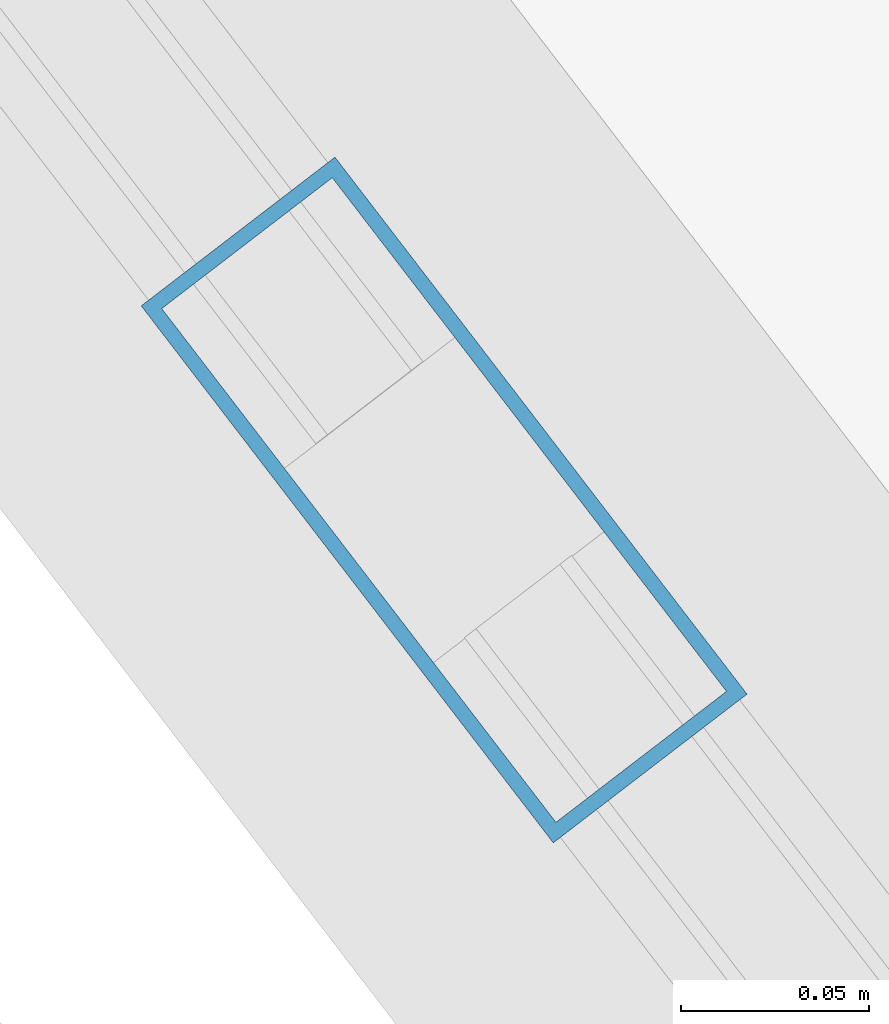
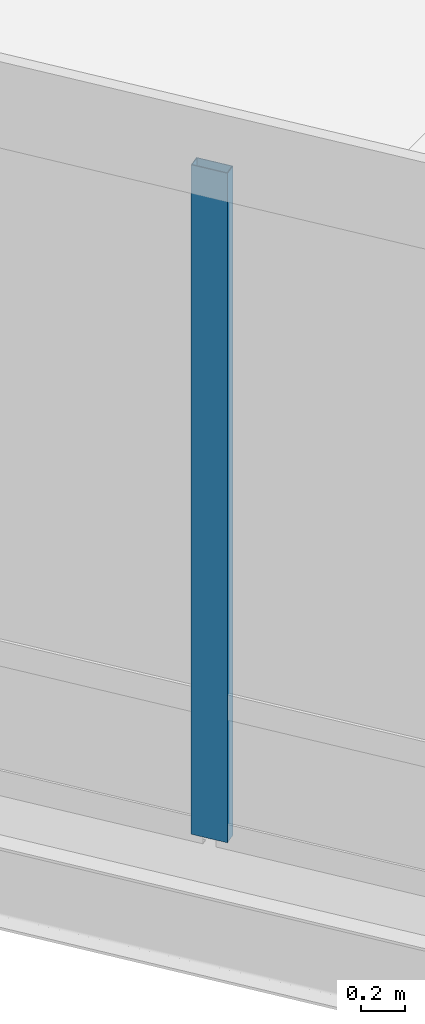
# One storey, part 27 of 170: 1 member, 1 element without a shape of its own.
"""IFC4 building model written with IfcOpenShell, lengths in metres."""

import ifcopenshell
import ifcopenshell.guid

model = None  # the IFC model being written
_history = None  # IfcOwnerHistory: only IFC2X3 demands one
_inside = {}  # id of a spatial element -> (the spatial element, [elements in it])
_under = {}  # id of a project, library or spatial element -> (it, [spatial elements below it])
_declared = {}  # id of a project -> (the project, [libraries it declares])
_typed = {}  # id of a type object -> (the type object, [elements of that type])
_made_of = {}  # id of a material, layer set ... -> (it, [elements and type objects made of it])


def new_model(schema):
    """Start an empty IFC model of exactly this schema.

    Asked for "IFC4X3", IfcOpenShell would pick the latest addendum, in which some entities
    have other attributes; the version numbers below select the first issue.
    IFC2X3 requires an IfcOwnerHistory on every rooted entity: one is made here for all.
    """
    global model, _history
    if schema == "IFC4X3":
        model = ifcopenshell.file(schema_version=(4, 3, 0, 0))
    else:
        model = ifcopenshell.file(schema=schema)
    _inside.clear()
    _under.clear()
    _declared.clear()
    _typed.clear()
    _made_of.clear()
    _history = None
    if model.schema == "IFC2X3":
        org = make("IfcOrganization", Name="unknown")
        user = make(
            "IfcPersonAndOrganization",
            ThePerson=make("IfcPerson", FamilyName="unknown"),
            TheOrganization=org,
        )
        app = make(
            "IfcApplication",
            ApplicationDeveloper=org,
            Version="unknown",
            ApplicationFullName="unknown",
            ApplicationIdentifier="unknown",
        )
        _history = make(
            "IfcOwnerHistory",
            OwningUser=user,
            OwningApplication=app,
            ChangeAction="ADDED",
            CreationDate=0,
        )
    return model


def make(cls, **values):
    """One entity of the class cls with the attributes given. An attribute that is None is left unset."""
    return model.create_entity(
        cls, **{name: value for name, value in values.items() if value is not None}
    )


def rooted(cls, **values):
    """An entity with a GlobalId (a new one), such as an element, a storey or a relation."""
    return make(cls, GlobalId=ifcopenshell.guid.new(), OwnerHistory=_history, **values)


def si_unit(unit_type, name, prefix=None):
    """IfcSIUnit, for example si_unit("LENGTHUNIT", "METRE", prefix="MILLI")."""
    return make("IfcSIUnit", UnitType=unit_type, Prefix=prefix, Name=name)


def assignment(units):
    """IfcUnitAssignment: the units of a project."""
    return None if units is None else make("IfcUnitAssignment", Units=units)


def point(xyz):
    """IfcCartesianPoint."""
    return None if xyz is None else make("IfcCartesianPoint", Coordinates=xyz)


def direction(xyz):
    """IfcDirection."""
    return None if xyz is None else make("IfcDirection", DirectionRatios=xyz)


def frame(location, z_axis=None, x_axis=None):
    """IfcAxis2Placement3D, a coordinate frame: its origin and axes. An axis left out is left unset."""
    return make(
        "IfcAxis2Placement3D",
        Location=point(location),
        Axis=direction(z_axis),
        RefDirection=direction(x_axis),
    )


def frame_2d(location, x_axis=None):
    """IfcAxis2Placement2D, a coordinate frame in the plane: its origin and x axis."""
    return make(
        "IfcAxis2Placement2D", Location=point(location), RefDirection=direction(x_axis)
    )


def origin():
    """The frame at (0, 0, 0) with its axes left unset."""
    return frame((0.0, 0.0, 0.0))


def origin_2d():
    """The frame at (0, 0) in the plane with its x axis left unset."""
    return frame_2d((0.0, 0.0))


def place(relative_to, where):
    """IfcLocalPlacement: puts the frame where relative to a parent placement (None: the world)."""
    return make(
        "IfcLocalPlacement", PlacementRelTo=relative_to, RelativePlacement=where
    )


def context(
    kind, dimensions, precision=None, world=None, true_north=None, identifier=None
):
    """IfcGeometricRepresentationContext, for example the 3D "Model" context."""
    return make(
        "IfcGeometricRepresentationContext",
        ContextIdentifier=identifier,
        ContextType=kind,
        CoordinateSpaceDimension=dimensions,
        Precision=precision,
        WorldCoordinateSystem=world,
        TrueNorth=true_north,
    )


def subcontext(parent, identifier, kind, view, scale=None):
    """IfcGeometricRepresentationSubContext, for example "Body" below "Model"."""
    return make(
        "IfcGeometricRepresentationSubContext",
        ContextIdentifier=identifier,
        ContextType=kind,
        ParentContext=parent,
        TargetScale=scale,
        TargetView=view,
    )


def project(units=None, contexts=None):
    """IfcProject with its units and contexts."""
    return rooted(
        "IfcProject",
        Name="project",
        RepresentationContexts=contexts,
        UnitsInContext=assignment(units),
    )


def spatial(cls, under=None, at=None, **own):
    """A site, building, storey or space (cls), placed at a placement, below another one or the project."""
    s = rooted(cls, ObjectPlacement=at, **own)
    if under is not None:
        _under.setdefault(under.id(), (under, []))[1].append(s)
    return s


def profile(cls, at=None, kind="AREA", **sizes):
    """A parametric profile (cls). Its sizes go by their IFC names, for example OverallWidth=200.0."""
    return make(cls, ProfileType=kind, Position=at, **sizes)


def hollow_rectangle(**sizes):
    """IfcRectangleHollowProfileDef."""
    return profile("IfcRectangleHollowProfileDef", **sizes)


def extrude(swept, where, along, depth):
    """IfcExtrudedAreaSolid: the profile swept, set in the frame where, extruded along a direction by depth."""
    return make(
        "IfcExtrudedAreaSolid",
        SweptArea=swept,
        Position=where,
        ExtrudedDirection=direction(along),
        Depth=depth,
    )


def shape(context_of_items, identifier, shape_type, items):
    """IfcShapeRepresentation: the items that make up one representation, for example the "Body"."""
    return make(
        "IfcShapeRepresentation",
        ContextOfItems=context_of_items,
        RepresentationIdentifier=identifier,
        RepresentationType=shape_type,
        Items=items,
    )


def material(Name=None, Category=None):
    """IfcMaterial."""
    return make("IfcMaterial", Name=Name, Category=Category)


def material_profile(
    of_material, cross_section, Name=None, Category=None, Priority=None
):
    """IfcMaterialProfile: a cross section and its material."""
    return make(
        "IfcMaterialProfile",
        Name=Name,
        Material=of_material,
        Profile=cross_section,
        Priority=Priority,
        Category=Category,
    )


def profile_set(profiles, Name=None, composite=None):
    """IfcMaterialProfileSet."""
    return make(
        "IfcMaterialProfileSet",
        Name=Name,
        MaterialProfiles=profiles,
        CompositeProfile=composite,
    )


def made_of(thing, what):
    """Note that an element or type object is made of a material, layer set ...; save() writes the relation."""
    if what is not None:
        _made_of.setdefault(what.id(), (what, []))[1].append(thing)
    return thing


def type_object(cls, material=None, **own):
    """A type object (cls), such as IfcWallType, which elements share."""
    return made_of(rooted(cls, **own), material)


def element(
    cls,
    number,
    at=None,
    inside=None,
    cuts=None,
    type_object=None,
    material=None,
    context=None,
    identifier="Body",
    shape_type=None,
    held_by="IfcProductDefinitionShape",
    body=None,
    shapes=None,
    **own,
):
    """One element of the class cls, such as IfcWall. Its Tag is "e" and its number.

    at: its placement. inside: the storey or other place that contains it. cuts: it is an
    opening in that element (IfcRelVoidsElement). A single representation is given by context,
    identifier, shape_type and body (its items); several are given by shapes. held_by: the class
    of the entity that holds the representations. save() writes the other relations.
    """
    e = rooted(cls, Tag="e%d" % number, ObjectPlacement=at, **own)
    if body is not None:
        shapes = [shape(context, identifier, shape_type, body)]
    if shapes is not None:
        e.Representation = make(held_by, Representations=shapes)
    if inside is not None:
        _inside.setdefault(inside.id(), (inside, []))[1].append(e)
    if cuts is not None:
        rooted(
            "IfcRelVoidsElement", RelatingBuildingElement=cuts, RelatedOpeningElement=e
        )
    if type_object is not None:
        _typed.setdefault(type_object.id(), (type_object, []))[1].append(e)
    return made_of(e, material)


def aggregate(whole, parts):
    """IfcRelAggregates: a whole, such as a stair, and the parts it consists of."""
    return rooted("IfcRelAggregates", RelatingObject=whole, RelatedObjects=parts)


def save(model, path):
    """Write the relations noted so far, then the file.

    IfcRelAggregates (storeys below a building ...), IfcRelContainedInSpatialStructure (elements
    in a storey), IfcRelDefinesByType, IfcRelAssociatesMaterial and IfcRelDeclares: one each for
    every whole, place, type object, material and project.
    """
    for whole, parts in _under.values():
        aggregate(whole, parts)
    for where, things in _inside.values():
        rooted(
            "IfcRelContainedInSpatialStructure",
            RelatedElements=things,
            RelatingStructure=where,
        )
    for kind, things in _typed.values():
        rooted("IfcRelDefinesByType", RelatedObjects=things, RelatingType=kind)
    for what, things in _made_of.values():
        rooted("IfcRelAssociatesMaterial", RelatedObjects=things, RelatingMaterial=what)
    for by, libraries in _declared.values():
        rooted("IfcRelDeclares", RelatingContext=by, RelatedDefinitions=libraries)
    model.write(path)


model = new_model("IFC4")

# Units and contexts
model_context = context("Model", 3, precision=1e-05, world=origin(), true_north=direction((0.0, 1.0)))
body_context = subcontext(model_context, "Body", "Model", "MODEL_VIEW")
ifc_project = project(units=[si_unit("LENGTHUNIT", "METRE"), si_unit("AREAUNIT", "SQUARE_METRE"), si_unit("VOLUMEUNIT", "CUBIC_METRE"), si_unit("PLANEANGLEUNIT", "RADIAN"), si_unit("MASSUNIT", "GRAM", prefix="KILO")], contexts=[model_context])

# Site, building, storey
site_placement = place(None, origin())
site = spatial("IfcSite", under=ifc_project, at=site_placement, CompositionType="ELEMENT")
building_placement = place(site_placement, origin())
building = spatial("IfcBuilding", under=site, at=building_placement, Name="Vondelvale Polytechnic", CompositionType="ELEMENT")
storey_placement = place(building_placement, frame((0.0, 0.0, 5.39990234375)))
storey = spatial("IfcBuildingStorey", under=building, at=storey_placement, Name="L01", CompositionType="ELEMENT", Elevation=5.39990234375)

# Curtain wall, member
ifc_material_1 = material(Name="Glulam GL18 structural Tasmanian oak (fb = 42 MPa)", Category="wood")
curtain_wall_type = type_object("IfcCurtainWallType", Name="CW-RING-OUTER", PredefinedType="NOTDEFINED", material=ifc_material_1)
curtain_wall_placement = place(storey_placement, origin())
curtain_wall = element("IfcCurtainWall", 1, at=curtain_wall_placement, inside=storey, type_object=curtain_wall_type, Name="L01 architectural curtain wall CW-04-299", PredefinedType="NOTDEFINED")
ifc_material_2 = material(Name="Anodised extruded aluminium 6063-T6", Category="aluminium")
ifc_material_profile = material_profile(ifc_material_2, hollow_rectangle(XDim=0.06494140625, YDim=0.179931640625, WallThickness=0.00390625, at=origin_2d()), Name="CW-MUL-180x65")
ifc_profile_set = profile_set([ifc_material_profile], Name="Anodised extruded aluminium 6063-T6")
member_type = type_object("IfcMemberType", Name="CW-MUL-65x180", PredefinedType="MULLION", material=ifc_profile_set)
member_placement = place(storey_placement, frame((63.356201171875, 47.44482421875, 0.0), z_axis=(0.0, 0.0, 1.0), x_axis=(0.793333825656, 0.608786860133, 0.0)))
member = element("IfcMember", 2, at=member_placement, type_object=member_type, Name="CW-04-299 mullion 2", PredefinedType="MULLION", context=body_context, shape_type="SweptSolid", body=[
    extrude(hollow_rectangle(XDim=0.06494140625, YDim=0.179931640625, WallThickness=0.00390625, at=origin_2d()), origin(), (0.0, 0.0, 1.0), 3.72021484375),
])
aggregate(curtain_wall, [member])

save(model, "model.ifc")
